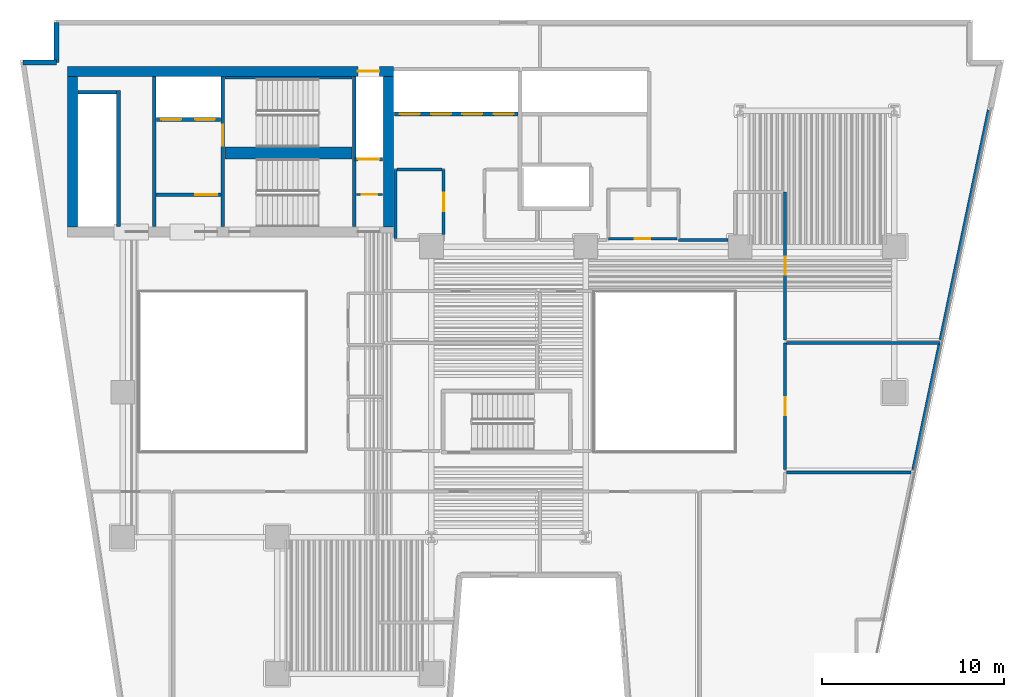
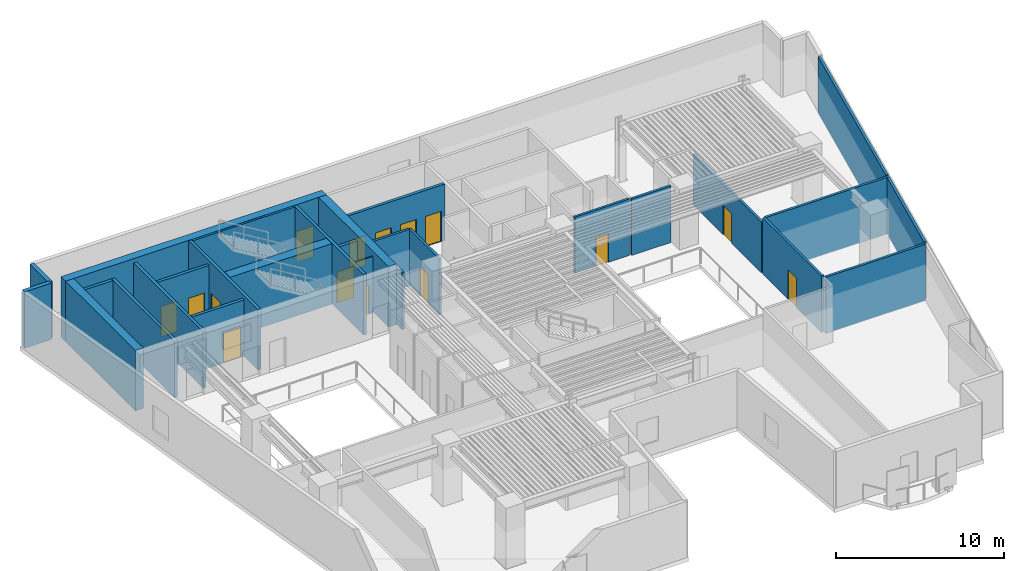
# One storey, part 5 of 11: 28 walls, 15 doors, 15 openings.
"""IFC4 building model written with IfcOpenShell, lengths in metres."""

from ifc_helpers import new_model, si_unit, direction, frame, frame_2d, origin, place, context, subcontext, project, spatial, rectangle, extrude, material, layer, layer_set, type_object, element, fill, save


model = new_model("IFC4")

# Units and contexts
model_context = context("Model", 3, precision=1e-05, world=origin(), true_north=direction((0.0, 1.0)))
body_context = subcontext(model_context, "Body", "Model", "MODEL_VIEW")
ifc_project = project(units=[si_unit("LENGTHUNIT", "METRE"), si_unit("AREAUNIT", "SQUARE_METRE"), si_unit("VOLUMEUNIT", "CUBIC_METRE"), si_unit("PLANEANGLEUNIT", "RADIAN"), si_unit("MASSUNIT", "GRAM", prefix="KILO")], contexts=[model_context])

# Site, building, storey
site_placement = place(None, origin())
site = spatial("IfcSite", under=ifc_project, at=site_placement, CompositionType="ELEMENT")
building_placement = place(site_placement, origin())
building = spatial("IfcBuilding", under=site, at=building_placement, Name="Caeloran Harvest Quay", CompositionType="ELEMENT")
storey_placement = place(building_placement, frame((0.0, 0.0, 62.199951171875)))
storey = spatial("IfcBuildingStorey", under=building, at=storey_placement, Name="L14", CompositionType="ELEMENT", Elevation=62.199951171875)

# Walls
ifc_material_1 = material(Name="Precast concrete C50/60", Category="concrete")
ifc_layer_1 = layer(ifc_material_1, 0.280029296875, Name="Precast concrete C50/60")
ifc_layer_set_1 = layer_set([ifc_layer_1], Name="Precast concrete C50/60")
wall_type_1 = type_object("IfcWallType", Name="ENV-WALL-EW-280", PredefinedType="STANDARD", material=ifc_layer_set_1)
wall_1_placement = place(storey_placement, frame((2.99755859375, 41.159912109375, 0.0), z_axis=(0.0, 0.0, 1.0), x_axis=(1.0, 0.0, 0.0)))
element("IfcWall", 1, at=wall_1_placement, inside=storey, type_object=wall_type_1, Name="L14 Exterior Precast Concrete Facade Wall 4", PredefinedType="STANDARD", context=body_context, shape_type="SweptSolid", body=[
    extrude(rectangle(XDim=1.842529296875, YDim=0.280029296875, at=frame_2d((0.92138671875, 0.0))), origin(), (0.0, 0.0, 1.0), 4.10009765625),
])
wall_2_placement = place(storey_placement, frame((4.840087890625, 41.159912109375, 0.0), z_axis=(0.0, 0.0, 1.0), x_axis=(0.0, 1.0, 0.0)))
element("IfcWall", 2, at=wall_2_placement, inside=storey, type_object=wall_type_1, Name="L14 Exterior Precast Concrete Facade Wall 5", PredefinedType="STANDARD", context=body_context, shape_type="SweptSolid", body=[
    extrude(rectangle(XDim=2.2001953125, YDim=0.280029296875, at=frame_2d((1.10009765625, 0.0))), origin(), (0.0, 0.0, 1.0), 4.10009765625),
])

# Wall, opening, door
ifc_material_2 = material(Name="Fire-Resisting Gypsum Core Riser Partition", Category="gypsum")
ifc_layer_2 = layer(ifc_material_2, 0.10009765625, Name="Fire-Resisting Gypsum Core Riser Partition")
ifc_layer_set_2 = layer_set([ifc_layer_2], Name="Fire-Resisting Gypsum Core Riser Partition")
wall_type_2 = type_object("IfcWallType", Name="INT-WALL-PW-100", PredefinedType="PARTITIONING", material=ifc_layer_set_2)
wall_3_placement = place(storey_placement, frame((21.3798828125, 33.889892578125, 0.0), z_axis=(0.0, 0.0, 1.0), x_axis=(1.0, 0.0, 0.0)))
wall_3 = element("IfcWall", 3, at=wall_3_placement, inside=storey, type_object=wall_type_2, Name="L14 Cleaner Store Partition Wall", PredefinedType="PARTITIONING", context=body_context, shape_type="SweptSolid", body=[
    extrude(rectangle(XDim=1.420166015625, YDim=0.10009765625, at=frame_2d((0.7099609375, 0.0))), origin(), (0.0, 0.0, 1.0), 4.10009765625),
])
opening_1_placement = place(wall_3_placement, frame((0.280029296875, 0.0, 0.0)))
opening_1 = element("IfcOpeningElement", 4, at=opening_1_placement, cuts=wall_3, Name="Opening SV-01", PredefinedType="OPENING", context=body_context, shape_type="SweptSolid", body=[
    extrude(rectangle(XDim=0.85009765625, YDim=2.10009765625, at=frame_2d((0.425048828125, 1.050048828125))), frame((0.0, 0.06005859375, 0.0), z_axis=(0.0, -1.0, 0.0), x_axis=(1.0, 0.0, 0.0)), (0.0, 0.0, 1.0), 0.1201171875),
])
ifc_material_3 = material(Name="Galvanized Painted Steel", Category="steel")
door_type_1 = type_object("IfcDoorType", Name="INTDOOR-SV-01", OperationType="NOTDEFINED", PredefinedType="DOOR", material=ifc_material_3)
door_1_placement = place(opening_1_placement, origin())
door_1 = element("IfcDoor", 5, at=door_1_placement, inside=storey, type_object=door_type_1, Name="L14 Cleaner Supply Store Access Door", OperationType="SINGLE_SWING_RIGHT", OverallHeight=2.10009765625, OverallWidth=0.85009765625, PredefinedType="DOOR", context=body_context, shape_type="SweptSolid", body=[
    extrude(rectangle(XDim=0.85009765625, YDim=2.10009765625, at=frame_2d((0.425048828125, 1.050048828125))), frame((0.0, 0.02490234375, 0.0), z_axis=(0.0, -1.0, 0.0), x_axis=(1.0, 0.0, 0.0)), (0.0, 0.0, 1.0), 0.050048828125),
])
fill(opening_1, door_1)

ifc_material_4 = material(Name="Autoclaved Aerated Concrete Blockwork and Plasterboard", Category="masonry")
ifc_layer_3 = layer(ifc_material_4, 0.14990234375, Name="Autoclaved Aerated Concrete Blockwork and Plasterboard")
ifc_layer_set_3 = layer_set([ifc_layer_3], Name="Autoclaved Aerated Concrete Blockwork and Plasterboard")
wall_type_3 = type_object("IfcWallType", Name="INT-WALL-PW-150", PredefinedType="PARTITIONING", material=ifc_layer_set_3)
wall_4_placement = place(storey_placement, frame((39.02001953125, 31.449951171875, 0.0), z_axis=(0.0, 0.0, 1.0), x_axis=(-1.0, 0.0, 0.0)))
wall_4 = element("IfcWall", 6, at=wall_4_placement, inside=storey, type_object=wall_type_3, Name="L14 Core Auxiliary Equipment Room Partition Wall", PredefinedType="PARTITIONING", context=body_context, shape_type="SweptSolid", body=[
    extrude(rectangle(XDim=3.77001953125, YDim=0.14990234375, at=frame_2d((1.885009765625, 0.0))), origin(), (0.0, 0.0, 1.0), 4.10009765625),
])
opening_2_placement = place(wall_4_placement, frame((1.4599609375, 0.0, 0.0)))
opening_2 = element("IfcOpeningElement", 7, at=opening_2_placement, cuts=wall_4, Name="Opening SV-01", PredefinedType="OPENING", context=body_context, shape_type="SweptSolid", body=[
    extrude(rectangle(XDim=0.85009765625, YDim=2.10009765625, at=frame_2d((0.425048828125, 1.050048828125))), frame((0.0, 0.0849609375, 0.0), z_axis=(0.0, -1.0, 0.0), x_axis=(1.0, 0.0, 0.0)), (0.0, 0.0, 1.0), 0.169921875),
])
door_2_placement = place(opening_2_placement, origin())
door_2 = element("IfcDoor", 8, at=door_2_placement, inside=storey, type_object=door_type_1, Name="L14 Core Auxiliary Equipment Room Access Door", OperationType="SINGLE_SWING_LEFT", OverallHeight=2.10009765625, OverallWidth=0.85009765625, PredefinedType="DOOR", context=body_context, shape_type="SweptSolid", body=[
    extrude(rectangle(XDim=0.85009765625, YDim=2.10009765625, at=frame_2d((0.425048828125, 1.050048828125))), frame((0.0, 0.02490234375, 0.0), z_axis=(0.0, -1.0, 0.0), x_axis=(1.0, 0.0, 0.0)), (0.0, 0.0, 1.0), 0.050048828125),
])
fill(opening_2, door_2)

# Wall
ifc_material_5 = material(Name="Autoclaved Aerated Concrete Blockwork", Category="masonry")
ifc_layer_4 = layer(ifc_material_5, 0.1650390625, Name="Autoclaved Aerated Concrete Blockwork")
ifc_layer_set_4 = layer_set([ifc_layer_4], Name="Autoclaved Aerated Concrete Blockwork")
wall_type_4 = type_object("IfcWallType", Name="INT-WALL-PW-165", PredefinedType="PARTITIONING", material=ifc_layer_set_4)
wall_5_placement = place(storey_placement, frame((45.06689453125, 18.570068359375, 0.0), z_axis=(0.0, 0.0, 1.0), x_axis=(1.0, 0.0, 0.0)))
element("IfcWall", 9, at=wall_5_placement, inside=storey, type_object=wall_type_4, Name="Hydroponic Culinary Kitchen Partition Wall", PredefinedType="PARTITIONING", context=body_context, shape_type="SweptSolid", body=[
    extrude(rectangle(XDim=6.8408203125, YDim=0.1650390625, at=frame_2d((3.42041015625, 0.0))), origin(), (0.0, 0.0, 1.0), 4.10009765625),
])

# Wall, opening, door
wall_6_placement = place(storey_placement, frame((44.97998046875, 18.72998046875, 0.0), z_axis=(0.0, 0.0, 1.0), x_axis=(0.0, 1.0, 0.0)))
wall_6 = element("IfcWall", 10, at=wall_6_placement, inside=storey, type_object=wall_type_4, Name="Mycology QA Laboratory Partition Wall", PredefinedType="PARTITIONING", context=body_context, shape_type="SweptSolid", body=[
    extrude(rectangle(XDim=6.989990234375, YDim=0.1650390625, at=frame_2d((3.4951171875, 0.0))), origin(), (0.0, 0.0, 1.0), 4.10009765625),
])
opening_3_placement = place(wall_6_placement, frame((2.9951171875, 0.0, 0.0)))
opening_3 = element("IfcOpeningElement", 11, at=opening_3_placement, cuts=wall_6, Name="Opening ID-01", PredefinedType="OPENING", context=body_context, shape_type="SweptSolid", body=[
    extrude(rectangle(XDim=1.0, YDim=2.14990234375, at=frame_2d((0.5, 1.074951171875))), frame((0.0, 0.092529296875, 0.0), z_axis=(0.0, -1.0, 0.0), x_axis=(1.0, 0.0, 0.0)), (0.0, 0.0, 1.0), 0.18505859375),
])
ifc_material_6 = material(Name="FSC Solid-Core Ash Timber and Acoustic Seal", Category="wood")
door_type_2 = type_object("IfcDoorType", Name="INTDOOR-ID-01", OperationType="NOTDEFINED", PredefinedType="DOOR", material=ifc_material_6)
door_3_placement = place(opening_3_placement, origin())
door_3 = element("IfcDoor", 12, at=door_3_placement, inside=storey, type_object=door_type_2, Name="Mycology QA Laboratory Access Door", OperationType="SINGLE_SWING_RIGHT", OverallHeight=2.14990234375, OverallWidth=1.0, PredefinedType="DOOR", context=body_context, shape_type="SweptSolid", body=[
    extrude(rectangle(XDim=1.0, YDim=2.14990234375, at=frame_2d((0.5, 1.074951171875))), frame((0.0, 0.02490234375, 0.0), z_axis=(0.0, -1.0, 0.0), x_axis=(1.0, 0.0, 0.0)), (0.0, 0.0, 1.0), 0.050048828125),
])
fill(opening_3, door_3)

# Walls
wall_7_placement = place(storey_placement, frame((45.0673828125, 25.719970703125, 0.0), z_axis=(0.0, 0.0, 1.0), x_axis=(1.0, 0.0, 0.0)))
element("IfcWall", 13, at=wall_7_placement, inside=storey, type_object=wall_type_4, Name="Mycology QA Laboratory Partition Wall", PredefinedType="PARTITIONING", context=body_context, shape_type="SweptSolid", body=[
    extrude(rectangle(XDim=8.447021484375, YDim=0.1650390625, at=frame_2d((4.2236328125, 0.0))), origin(), (0.0, 0.0, 1.0), 4.10009765625),
])
wall_8_placement = place(storey_placement, frame((53.480712890625, 25.632568359375, 0.0), z_axis=(0.0, 0.0, 1.0), x_axis=(-0.205539446235, -0.97864883183, 0.0)))
element("IfcWall", 14, at=wall_8_placement, inside=storey, type_object=wall_type_4, Name="Mycology QA Laboratory Partition Wall", PredefinedType="PARTITIONING", context=body_context, shape_type="SweptSolid", body=[
    extrude(rectangle(XDim=7.05322265625, YDim=0.1650390625, at=frame_2d((3.526611328125, 0.0))), origin(), (0.0, 0.0, 1.0), 4.10009765625),
])

# Wall, opening, door
wall_9_placement = place(storey_placement, frame((26.169921875, 35.27001953125, 0.0), z_axis=(0.0, 0.0, 1.0), x_axis=(0.0, -1.0, 0.0)))
wall_9 = element("IfcWall", 15, at=wall_9_placement, inside=storey, type_object=wall_type_4, Name="Pollination Dining Lounge 11 Partition Wall", PredefinedType="PARTITIONING", context=body_context, shape_type="SweptSolid", body=[
    extrude(rectangle(XDim=3.594970703125, YDim=0.1650390625, at=frame_2d((1.79736328125, 0.0))), origin(), (0.0, 0.0, 1.0), 4.10009765625),
])
opening_4_placement = place(wall_9_placement, frame((1.297607421875, 0.0, 0.0)))
opening_4 = element("IfcOpeningElement", 16, at=opening_4_placement, cuts=wall_9, Name="Opening ID-01", PredefinedType="OPENING", context=body_context, shape_type="SweptSolid", body=[
    extrude(rectangle(XDim=1.0, YDim=2.14990234375, at=frame_2d((0.5, 1.074951171875))), frame((0.0, 0.092529296875, 0.0), z_axis=(0.0, -1.0, 0.0), x_axis=(1.0, 0.0, 0.0)), (0.0, 0.0, 1.0), 0.18505859375),
])
door_4_placement = place(opening_4_placement, origin())
door_4 = element("IfcDoor", 17, at=door_4_placement, inside=storey, type_object=door_type_2, Name="Pollination Dining Lounge 11 Access Door", OperationType="SINGLE_SWING_RIGHT", OverallHeight=2.14990234375, OverallWidth=1.0, PredefinedType="DOOR", context=body_context, shape_type="SweptSolid", body=[
    extrude(rectangle(XDim=1.0, YDim=2.14990234375, at=frame_2d((0.5, 1.074951171875))), frame((0.0, 0.02490234375, 0.0), z_axis=(0.0, -1.0, 0.0), x_axis=(1.0, 0.0, 0.0)), (0.0, 0.0, 1.0), 0.050048828125),
])
fill(opening_4, door_4)

# Walls
wall_10_placement = place(storey_placement, frame((23.510009765625, 31.467529296875, 0.0), z_axis=(0.0, 0.0, 1.0), x_axis=(0.0, 1.0, 0.0)))
element("IfcWall", 18, at=wall_10_placement, inside=storey, type_object=wall_type_4, Name="Pollination Dining Lounge 11 Partition Wall", PredefinedType="PARTITIONING", context=body_context, shape_type="SweptSolid", body=[
    extrude(rectangle(XDim=3.804443359375, YDim=0.1650390625, at=frame_2d((1.90234375, 0.0))), origin(), (0.0, 0.0, 1.0), 4.10009765625),
])
wall_11_placement = place(storey_placement, frame((23.597412109375, 35.27001953125, 0.0), z_axis=(0.0, 0.0, 1.0), x_axis=(1.0, 0.0, 0.0)))
element("IfcWall", 19, at=wall_11_placement, inside=storey, type_object=wall_type_4, Name="Pollination Dining Lounge 11 Partition Wall", PredefinedType="PARTITIONING", context=body_context, shape_type="SweptSolid", body=[
    extrude(rectangle(XDim=2.485107421875, YDim=0.1650390625, at=frame_2d((1.24267578125, 0.0))), origin(), (0.0, 0.0, 1.0), 4.10009765625),
])
wall_12_placement = place(storey_placement, frame((56.1943359375, 38.547607421875, 0.0), z_axis=(0.0, 0.0, 1.0), x_axis=(-0.205602677483, -0.978635549636, 0.0)))
element("IfcWall", 20, at=wall_12_placement, inside=storey, type_object=wall_type_4, Name="Harvest Seminar Room 12 Partition Wall", PredefinedType="PARTITIONING", context=body_context, shape_type="SweptSolid", body=[
    extrude(rectangle(XDim=12.9443359375, YDim=0.1650390625, at=frame_2d((6.47216796875, 0.0))), origin(), (0.0, 0.0, 1.0), 4.10009765625),
])

# Wall, opening, door
wall_13_placement = place(storey_placement, frame((44.97998046875, 25.8798828125, 0.0), z_axis=(0.0, 0.0, 1.0), x_axis=(0.0, 1.0, 0.0)))
wall_13 = element("IfcWall", 21, at=wall_13_placement, inside=storey, type_object=wall_type_4, Name="Harvest Seminar Room 12 Partition Wall", PredefinedType="PARTITIONING", context=body_context, shape_type="SweptSolid", body=[
    extrude(rectangle(XDim=8.150146484375, YDim=0.1650390625, at=frame_2d((4.0751953125, 0.0))), origin(), (0.0, 0.0, 1.0), 3.68505859375),
])
opening_5_placement = place(wall_13_placement, frame((3.574951171875, 0.0, 0.0)))
opening_5 = element("IfcOpeningElement", 22, at=opening_5_placement, cuts=wall_13, Name="Opening ID-01", PredefinedType="OPENING", context=body_context, shape_type="SweptSolid", body=[
    extrude(rectangle(XDim=1.0, YDim=2.14990234375, at=frame_2d((0.5, 1.074951171875))), frame((0.0, 0.092529296875, 0.0), z_axis=(0.0, -1.0, 0.0), x_axis=(1.0, 0.0, 0.0)), (0.0, 0.0, 1.0), 0.18505859375),
])
door_5_placement = place(opening_5_placement, origin())
door_5 = element("IfcDoor", 23, at=door_5_placement, inside=storey, type_object=door_type_2, Name="Harvest Seminar Room 12 Access Door", OperationType="SINGLE_SWING_LEFT", OverallHeight=2.14990234375, OverallWidth=1.0, PredefinedType="DOOR", context=body_context, shape_type="SweptSolid", body=[
    extrude(rectangle(XDim=1.0, YDim=2.14990234375, at=frame_2d((0.5, 1.074951171875))), frame((0.0, 0.02490234375, 0.0), z_axis=(0.0, -1.0, 0.0), x_axis=(1.0, 0.0, 0.0)), (0.0, 0.0, 1.0), 0.050048828125),
])
fill(opening_5, door_5)

# Walls
wall_14_placement = place(storey_placement, frame((41.824951171875, 31.3798828125, 0.0), z_axis=(0.0, 0.0, 1.0), x_axis=(-1.0, 0.0, 0.0)))
element("IfcWall", 24, at=wall_14_placement, inside=storey, type_object=wall_type_4, Name="Harvest Seminar Room 12 Partition Wall", PredefinedType="PARTITIONING", context=body_context, shape_type="SweptSolid", body=[
    extrude(rectangle(XDim=2.71044921875, YDim=0.1650390625, at=frame_2d((1.355224609375, 0.0))), origin(), (0.0, 0.0, 1.0), 4.10009765625),
])
ifc_material_7 = material(Name="Concrete C50/60", Category="concrete")
ifc_layer_5 = layer(ifc_material_7, 0.199951171875, Name="Concrete C50/60")
ifc_layer_set_5 = layer_set([ifc_layer_5], Name="Concrete C50/60")
wall_type_5 = type_object("IfcWallType", Name="INT-WALL-SW-200", PredefinedType="PARTITIONING", material=ifc_layer_set_5)
wall_15_placement = place(storey_placement, frame((8.260009765625, 32.1201171875, 0.0), z_axis=(0.0, 0.0, 1.0), x_axis=(0.0, 1.0, 0.0)))
element("IfcWall", 25, at=wall_15_placement, inside=storey, type_object=wall_type_5, Name="L14 Bank 3 Lift Shaft Wall", PredefinedType="PARTITIONING", context=body_context, shape_type="SweptSolid", body=[
    extrude(rectangle(XDim=7.5, YDim=0.199951171875, at=frame_2d((3.75, 0.0))), origin(), (0.0, 0.0, 1.0), 4.10009765625),
])
wall_16_placement = place(storey_placement, frame((6.02001953125, 39.52001953125, 0.0), z_axis=(0.0, 0.0, 1.0), x_axis=(1.0, 0.0, 0.0)))
element("IfcWall", 26, at=wall_16_placement, inside=storey, type_object=wall_type_5, Name="L14 Bank 3 Lift Shaft North End Wall", PredefinedType="PARTITIONING", context=body_context, shape_type="SweptSolid", body=[
    extrude(rectangle(XDim=2.119873046875, YDim=0.199951171875, at=frame_2d((1.06005859375, 0.0))), origin(), (0.0, 0.0, 1.0), 4.10009765625),
])
wall_17_placement = place(storey_placement, frame((10.219970703125, 32.1201171875, 0.0), z_axis=(0.0, 0.0, 1.0), x_axis=(0.0, 1.0, 0.0)))
element("IfcWall", 27, at=wall_17_placement, inside=storey, type_object=wall_type_5, Name="L14 Core Lobby Compartment Wall", PredefinedType="PARTITIONING", context=body_context, shape_type="SweptSolid", body=[
    extrude(rectangle(XDim=8.259765625, YDim=0.199951171875, at=frame_2d((4.1298828125, 0.0))), origin(), (0.0, 0.0, 1.0), 4.10009765625),
])

# Wall, openings, doors
wall_18_placement = place(storey_placement, frame((10.340087890625, 38.02001953125, 0.0), z_axis=(0.0, 0.0, 1.0), x_axis=(1.0, 0.0, 0.0)))
wall_18 = element("IfcWall", 28, at=wall_18_placement, inside=storey, type_object=wall_type_5, Name="L14 Firefighting Lift Shaft Wall", PredefinedType="PARTITIONING", context=body_context, shape_type="SweptSolid", body=[
    extrude(rectangle(XDim=3.539794921875, YDim=0.199951171875, at=frame_2d((1.77001953125, 0.0))), origin(), (0.0, 0.0, 1.0), 4.10009765625),
])
opening_6_placement = place(wall_18_placement, frame((0.284912109375, 0.0, 0.0)))
opening_6 = element("IfcOpeningElement", 29, at=opening_6_placement, cuts=wall_18, Name="Opening LD-01", PredefinedType="OPENING", context=body_context, shape_type="SweptSolid", body=[
    extrude(rectangle(XDim=1.10009765625, YDim=2.199951171875, at=frame_2d((0.550048828125, 1.10009765625))), frame((0.0, 0.10986328125, 0.0), z_axis=(0.0, -1.0, 0.0), x_axis=(1.0, 0.0, 0.0)), (0.0, 0.0, 1.0), 0.219970703125),
])
opening_7_placement = place(wall_18_placement, frame((2.135009765625, 0.0, 0.0)))
opening_7 = element("IfcOpeningElement", 30, at=opening_7_placement, cuts=wall_18, Name="Opening LD-01", PredefinedType="OPENING", context=body_context, shape_type="SweptSolid", body=[
    extrude(rectangle(XDim=1.10009765625, YDim=2.199951171875, at=frame_2d((0.550048828125, 1.10009765625))), frame((0.0, 0.10986328125, 0.0), z_axis=(0.0, -1.0, 0.0), x_axis=(1.0, 0.0, 0.0)), (0.0, 0.0, 1.0), 0.219970703125),
])
ifc_material_8 = material(Name="Stainless Steel Grade 316", Category="steel")
door_type_3 = type_object("IfcDoorType", Name="INTDOOR-LD-01", OperationType="NOTDEFINED", PredefinedType="DOOR", material=ifc_material_8)
door_6_placement = place(opening_6_placement, origin())
door_6 = element("IfcDoor", 31, at=door_6_placement, inside=storey, type_object=door_type_3, Name="Lift FF-1 Sliding Landing Door (L14)", OperationType="DOUBLE_DOOR_SLIDING", OverallHeight=2.199951171875, OverallWidth=1.10009765625, PredefinedType="DOOR", context=body_context, shape_type="SweptSolid", body=[
    extrude(rectangle(XDim=1.10009765625, YDim=2.199951171875, at=frame_2d((0.550048828125, 1.10009765625))), frame((0.0, 0.02490234375, 0.0), z_axis=(0.0, -1.0, 0.0), x_axis=(1.0, 0.0, 0.0)), (0.0, 0.0, 1.0), 0.050048828125),
])
fill(opening_6, door_6)
door_7_placement = place(opening_7_placement, origin())
door_7 = element("IfcDoor", 32, at=door_7_placement, inside=storey, type_object=door_type_3, Name="Lift FF-2 Sliding Landing Door (L14)", OperationType="DOUBLE_DOOR_SLIDING", OverallHeight=2.199951171875, OverallWidth=1.10009765625, PredefinedType="DOOR", context=body_context, shape_type="SweptSolid", body=[
    extrude(rectangle(XDim=1.10009765625, YDim=2.199951171875, at=frame_2d((0.550048828125, 1.10009765625))), frame((0.0, 0.02490234375, 0.0), z_axis=(0.0, -1.0, 0.0), x_axis=(1.0, 0.0, 0.0)), (0.0, 0.0, 1.0), 0.050048828125),
])
fill(opening_7, door_7)

# Wall, opening, door
wall_19_placement = place(storey_placement, frame((10.340087890625, 33.8798828125, 0.0), z_axis=(0.0, 0.0, 1.0), x_axis=(1.0, 0.0, 0.0)))
wall_19 = element("IfcWall", 33, at=wall_19_placement, inside=storey, type_object=wall_type_5, Name="L14 Firefighting Lift Lobby Enclosure Wall", PredefinedType="PARTITIONING", context=body_context, shape_type="SweptSolid", body=[
    extrude(rectangle(XDim=3.559814453125, YDim=0.199951171875, at=frame_2d((1.77978515625, 0.0))), origin(), (0.0, 0.0, 1.0), 4.10009765625),
])
opening_8_placement = place(wall_19_placement, frame((2.14990234375, 0.0, 0.0)))
opening_8 = element("IfcOpeningElement", 34, at=opening_8_placement, cuts=wall_19, Name="Opening FD-01", PredefinedType="OPENING", context=body_context, shape_type="SweptSolid", body=[
    extrude(rectangle(XDim=1.199951171875, YDim=2.199951171875, at=frame_2d((0.60009765625, 1.10009765625))), frame((0.0, 0.10986328125, 0.0), z_axis=(0.0, -1.0, 0.0), x_axis=(1.0, 0.0, 0.0)), (0.0, 0.0, 1.0), 0.219970703125),
])
ifc_material_9 = material(Name="Steel", Category="steel")
door_type_4 = type_object("IfcDoorType", Name="INTDOOR-FD-01", OperationType="NOTDEFINED", PredefinedType="DOOR", material=ifc_material_9)
door_8_placement = place(opening_8_placement, origin())
door_8 = element("IfcDoor", 35, at=door_8_placement, inside=storey, type_object=door_type_4, Name="L14 Firefighting Lift Lobby Smoke-Seal Fire Door", OperationType="SINGLE_SWING_LEFT", OverallHeight=2.199951171875, OverallWidth=1.199951171875, PredefinedType="DOOR", context=body_context, shape_type="SweptSolid", body=[
    extrude(rectangle(XDim=1.199951171875, YDim=2.199951171875, at=frame_2d((0.60009765625, 1.10009765625))), frame((0.0, 0.02490234375, 0.0), z_axis=(0.0, -1.0, 0.0), x_axis=(1.0, 0.0, 0.0)), (0.0, 0.0, 1.0), 0.050048828125),
])
fill(opening_8, door_8)

wall_20_placement = place(storey_placement, frame((21.300048828125, 35.820068359375, 0.0), z_axis=(0.0, 0.0, 1.0), x_axis=(1.0, 0.0, 0.0)))
wall_20 = element("IfcWall", 36, at=wall_20_placement, inside=storey, type_object=wall_type_5, Name="L14 Service Lift SV-2 Shaft Wall", PredefinedType="PARTITIONING", context=body_context, shape_type="SweptSolid", body=[
    extrude(rectangle(XDim=1.5, YDim=0.199951171875, at=frame_2d((0.75, 0.0))), origin(), (0.0, 0.0, 1.0), 4.10009765625),
])
opening_9_placement = place(wall_20_placement, frame((0.14501953125, 0.0, 0.0)))
opening_9 = element("IfcOpeningElement", 37, at=opening_9_placement, cuts=wall_20, Name="Opening LD-02", PredefinedType="OPENING", context=body_context, shape_type="SweptSolid", body=[
    extrude(rectangle(XDim=1.179931640625, YDim=2.25, at=frame_2d((0.58984375, 1.125))), frame((0.0, 0.10986328125, 0.0), z_axis=(0.0, -1.0, 0.0), x_axis=(1.0, 0.0, 0.0)), (0.0, 0.0, 1.0), 0.219970703125),
])
door_type_5 = type_object("IfcDoorType", Name="INTDOOR-LD-02", OperationType="NOTDEFINED", PredefinedType="DOOR", material=ifc_material_8)
door_9_placement = place(opening_9_placement, origin())
door_9 = element("IfcDoor", 38, at=door_9_placement, inside=storey, type_object=door_type_5, Name="Lift SV-2 Sliding Landing Door (L14)", OperationType="DOUBLE_DOOR_SLIDING", OverallHeight=2.25, OverallWidth=1.179931640625, PredefinedType="DOOR", context=body_context, shape_type="SweptSolid", body=[
    extrude(rectangle(XDim=1.179931640625, YDim=2.25, at=frame_2d((0.58984375, 1.125))), frame((0.0, 0.02490234375, 0.0), z_axis=(0.0, -1.0, 0.0), x_axis=(1.0, 0.0, 0.0)), (0.0, 0.0, 1.0), 0.050048828125),
])
fill(opening_9, door_9)

# Wall, openings, doors
wall_21_placement = place(storey_placement, frame((23.469970703125, 38.320068359375, 0.0), z_axis=(0.0, 0.0, 1.0), x_axis=(1.0, 0.0, 0.0)))
wall_21 = element("IfcWall", 39, at=wall_21_placement, inside=storey, type_object=wall_type_5, Name="L14 Bank 1 Lift Landing Front Wall", PredefinedType="PARTITIONING", context=body_context, shape_type="SweptSolid", body=[
    extrude(rectangle(XDim=6.7900390625, YDim=0.199951171875, at=frame_2d((3.39501953125, 0.0))), origin(), (0.0, 0.0, 1.0), 4.10009765625),
])
opening_10_placement = place(wall_21_placement, frame((0.2900390625, 0.0, 0.0)))
opening_10 = element("IfcOpeningElement", 40, at=opening_10_placement, cuts=wall_21, Name="Opening LD-01", PredefinedType="OPENING", context=body_context, shape_type="SweptSolid", body=[
    extrude(rectangle(XDim=1.10009765625, YDim=2.199951171875, at=frame_2d((0.550048828125, 1.10009765625))), frame((0.0, 0.10986328125, 0.0), z_axis=(0.0, -1.0, 0.0), x_axis=(1.0, 0.0, 0.0)), (0.0, 0.0, 1.0), 0.219970703125),
])
opening_11_placement = place(wall_21_placement, frame((2.010009765625, 0.0, 0.0)))
opening_11 = element("IfcOpeningElement", 41, at=opening_11_placement, cuts=wall_21, Name="Opening LD-01", PredefinedType="OPENING", context=body_context, shape_type="SweptSolid", body=[
    extrude(rectangle(XDim=1.10009765625, YDim=2.199951171875, at=frame_2d((0.550048828125, 1.10009765625))), frame((0.0, 0.10986328125, 0.0), z_axis=(0.0, -1.0, 0.0), x_axis=(1.0, 0.0, 0.0)), (0.0, 0.0, 1.0), 0.219970703125),
])
opening_12_placement = place(wall_21_placement, frame((3.72998046875, 0.0, 0.0)))
opening_12 = element("IfcOpeningElement", 42, at=opening_12_placement, cuts=wall_21, Name="Opening LD-01", PredefinedType="OPENING", context=body_context, shape_type="SweptSolid", body=[
    extrude(rectangle(XDim=1.10009765625, YDim=2.199951171875, at=frame_2d((0.550048828125, 1.10009765625))), frame((0.0, 0.10986328125, 0.0), z_axis=(0.0, -1.0, 0.0), x_axis=(1.0, 0.0, 0.0)), (0.0, 0.0, 1.0), 0.219970703125),
])
opening_13_placement = place(wall_21_placement, frame((5.449951171875, 0.0, 0.0)))
opening_13 = element("IfcOpeningElement", 43, at=opening_13_placement, cuts=wall_21, Name="Opening LD-01", PredefinedType="OPENING", context=body_context, shape_type="SweptSolid", body=[
    extrude(rectangle(XDim=1.10009765625, YDim=2.199951171875, at=frame_2d((0.550048828125, 1.10009765625))), frame((0.0, 0.10986328125, 0.0), z_axis=(0.0, -1.0, 0.0), x_axis=(1.0, 0.0, 0.0)), (0.0, 0.0, 1.0), 0.219970703125),
])
door_10_placement = place(opening_10_placement, origin())
door_10 = element("IfcDoor", 44, at=door_10_placement, inside=storey, type_object=door_type_3, Name="Lift P1-1 Sliding Landing Door (L14)", OperationType="DOUBLE_DOOR_SLIDING", OverallHeight=2.199951171875, OverallWidth=1.10009765625, PredefinedType="DOOR", context=body_context, shape_type="SweptSolid", body=[
    extrude(rectangle(XDim=1.10009765625, YDim=2.199951171875, at=frame_2d((0.550048828125, 1.10009765625))), frame((0.0, 0.02490234375, 0.0), z_axis=(0.0, -1.0, 0.0), x_axis=(1.0, 0.0, 0.0)), (0.0, 0.0, 1.0), 0.050048828125),
])
fill(opening_10, door_10)
door_11_placement = place(opening_11_placement, origin())
door_11 = element("IfcDoor", 45, at=door_11_placement, inside=storey, type_object=door_type_3, Name="Lift P1-2 Sliding Landing Door (L14)", OperationType="DOUBLE_DOOR_SLIDING", OverallHeight=2.199951171875, OverallWidth=1.10009765625, PredefinedType="DOOR", context=body_context, shape_type="SweptSolid", body=[
    extrude(rectangle(XDim=1.10009765625, YDim=2.199951171875, at=frame_2d((0.550048828125, 1.10009765625))), frame((0.0, 0.02490234375, 0.0), z_axis=(0.0, -1.0, 0.0), x_axis=(1.0, 0.0, 0.0)), (0.0, 0.0, 1.0), 0.050048828125),
])
fill(opening_11, door_11)
door_12_placement = place(opening_12_placement, origin())
door_12 = element("IfcDoor", 46, at=door_12_placement, inside=storey, type_object=door_type_3, Name="Lift P1-3 Sliding Landing Door (L14)", OperationType="DOUBLE_DOOR_SLIDING", OverallHeight=2.199951171875, OverallWidth=1.10009765625, PredefinedType="DOOR", context=body_context, shape_type="SweptSolid", body=[
    extrude(rectangle(XDim=1.10009765625, YDim=2.199951171875, at=frame_2d((0.550048828125, 1.10009765625))), frame((0.0, 0.02490234375, 0.0), z_axis=(0.0, -1.0, 0.0), x_axis=(1.0, 0.0, 0.0)), (0.0, 0.0, 1.0), 0.050048828125),
])
fill(opening_12, door_12)
door_13_placement = place(opening_13_placement, origin())
door_13 = element("IfcDoor", 47, at=door_13_placement, inside=storey, type_object=door_type_3, Name="Lift P1-4 Sliding Landing Door (L14)", OperationType="DOUBLE_DOOR_SLIDING", OverallHeight=2.199951171875, OverallWidth=1.10009765625, PredefinedType="DOOR", context=body_context, shape_type="SweptSolid", body=[
    extrude(rectangle(XDim=1.10009765625, YDim=2.199951171875, at=frame_2d((0.550048828125, 1.10009765625))), frame((0.0, 0.02490234375, 0.0), z_axis=(0.0, -1.0, 0.0), x_axis=(1.0, 0.0, 0.0)), (0.0, 0.0, 1.0), 0.050048828125),
])
fill(opening_13, door_13)

# Wall, opening, door
ifc_material_10 = material(Name="Concrete C80/95", Category="concrete")
ifc_layer_6 = layer(ifc_material_10, 0.550048828125, Name="Concrete C80/95")
ifc_layer_set_6 = layer_set([ifc_layer_6], Name="Concrete C80/95")
wall_type_6 = type_object("IfcWallType", Name="STR-WALL-CW-550", PredefinedType="SHEAR", material=ifc_layer_set_6)
wall_22_placement = place(storey_placement, frame((5.449951171875, 40.675048828125, 0.0), z_axis=(0.0, 0.0, 1.0), x_axis=(1.0, 0.0, 0.0)))
wall_22 = element("IfcWall", 48, at=wall_22_placement, inside=storey, type_object=wall_type_6, Name="L14 Rear Core Shear Wall N", PredefinedType="SHEAR", context=body_context, shape_type="SweptSolid", body=[
    extrude(rectangle(XDim=17.949951171875, YDim=0.550048828125, at=frame_2d((8.97509765625, 0.0))), origin(), (0.0, 0.0, 1.0), 4.400146484375),
])
opening_14_placement = place(wall_22_placement, frame((15.9951171875, 0.0, 0.0)))
opening_14 = element("IfcOpeningElement", 49, at=opening_14_placement, cuts=wall_22, Name="Opening LD-02", PredefinedType="OPENING", context=body_context, shape_type="SweptSolid", body=[
    extrude(rectangle(XDim=1.179931640625, YDim=2.25, at=frame_2d((0.58984375, 1.125))), frame((0.0, 0.28515625, 0.0), z_axis=(0.0, -1.0, 0.0), x_axis=(1.0, 0.0, 0.0)), (0.0, 0.0, 1.0), 0.570068359375),
])
door_14_placement = place(opening_14_placement, origin())
door_14 = element("IfcDoor", 50, at=door_14_placement, inside=storey, type_object=door_type_5, Name="Lift SV-1 Sliding Landing Door (L14)", OperationType="DOUBLE_DOOR_SLIDING", OverallHeight=2.25, OverallWidth=1.179931640625, PredefinedType="DOOR", context=body_context, shape_type="SweptSolid", body=[
    extrude(rectangle(XDim=1.179931640625, YDim=2.25, at=frame_2d((0.58984375, 1.125))), frame((0.0, 0.02490234375, 0.0), z_axis=(0.0, -1.0, 0.0), x_axis=(1.0, 0.0, 0.0)), (0.0, 0.0, 1.0), 0.050048828125),
])
fill(opening_14, door_14)

# Walls
for number, where, z_axis, x_axis, name in (
    (51, (5.72509765625, 32.10009765625, 0.0), (0.0, 0.0, 1.0), (0.0, 1.0, 0.0), "L14 Rear Core Shear Wall W"),
    (52, (23.125, 32.10009765625, 0.0), (0.0, 0.0, 1.0), (0.0, 1.0, 0.0), "L14 Rear Core Shear Wall E"),
):
    element("IfcWall", number, at=place(storey_placement, frame(where, z_axis=z_axis, x_axis=x_axis)), inside=storey, type_object=wall_type_6, Name=name, PredefinedType="SHEAR", context=body_context, shape_type="SweptSolid", body=[
        extrude(rectangle(XDim=8.2998046875, YDim=0.550048828125, at=frame_2d((4.14990234375, 0.0))), origin(), (0.0, 0.0, 1.0), 4.400146484375),
    ])
ifc_material_11 = material(Name="Concrete C60/75", Category="concrete")
ifc_layer_7 = layer(ifc_material_11, 0.64990234375, Name="Concrete C60/75")
ifc_layer_set_7 = layer_set([ifc_layer_7], Name="Concrete C60/75")
wall_type_7 = type_object("IfcWallType", Name="STR-WALL-CW-650", PredefinedType="SHEAR", material=ifc_layer_set_7)
wall_23_placement = place(storey_placement, frame((14.1201171875, 36.175048828125, 0.0), z_axis=(0.0, 0.0, 1.0), x_axis=(1.0, 0.0, 0.0)))
element("IfcWall", 53, at=wall_23_placement, inside=storey, type_object=wall_type_7, Name="L14 Core Stairs Dividing Shear Wall", PredefinedType="SHEAR", context=body_context, shape_type="SweptSolid", body=[
    extrude(rectangle(XDim=7.009765625, YDim=0.64990234375, at=frame_2d((3.5048828125, 0.0))), origin(), (0.0, 0.0, 1.0), 4.400146484375),
])
ifc_layer_8 = layer(ifc_material_11, 0.139892578125, Name="Concrete C60/75")
ifc_layer_set_8 = layer_set([ifc_layer_8], Name="Concrete C60/75")
wall_type_8 = type_object("IfcWallType", Name="STR-WALL-SW-140", PredefinedType="SHEAR", material=ifc_layer_set_8)
wall_24_placement = place(storey_placement, frame((14.1201171875, 40.320068359375, 0.0), z_axis=(0.0, 0.0, 1.0), x_axis=(1.0, 0.0, 0.0)))
element("IfcWall", 54, at=wall_24_placement, inside=storey, type_object=wall_type_8, Name="L14 Core Stair ST-C1 North Bearing Shear Wall", PredefinedType="SHEAR", context=body_context, shape_type="SweptSolid", body=[
    extrude(rectangle(XDim=7.009765625, YDim=0.139892578125, at=frame_2d((3.5048828125, 0.0))), origin(), (0.0, 0.0, 1.0), 4.400146484375),
])

# Wall, opening, door
ifc_layer_9 = layer(ifc_material_11, 0.199951171875, Name="Concrete C60/75")
ifc_layer_set_9 = layer_set([ifc_layer_9], Name="Concrete C60/75")
wall_type_9 = type_object("IfcWallType", Name="STR-WALL-SW-200", PredefinedType="SHEAR", material=ifc_layer_set_9)
wall_25_placement = place(storey_placement, frame((14.0, 32.1201171875, 0.0), z_axis=(0.0, 0.0, 1.0), x_axis=(0.0, 1.0, 0.0)))
wall_25 = element("IfcWall", 55, at=wall_25_placement, inside=storey, type_object=wall_type_9, Name="L14 Core Stair Shaft West Shear Wall", PredefinedType="SHEAR", context=body_context, shape_type="SweptSolid", body=[
    extrude(rectangle(XDim=8.259765625, YDim=0.199951171875, at=frame_2d((4.1298828125, 0.0))), origin(), (0.0, 0.0, 1.0), 4.400146484375),
])
opening_15_placement = place(wall_25_placement, frame((4.4599609375, 0.0, 0.0)))
opening_15 = element("IfcOpeningElement", 56, at=opening_15_placement, cuts=wall_25, Name="Opening SD-01", PredefinedType="OPENING", context=body_context, shape_type="SweptSolid", body=[
    extrude(rectangle(XDim=1.14990234375, YDim=2.199951171875, at=frame_2d((0.574951171875, 1.10009765625))), frame((0.0, 0.10986328125, 0.0), z_axis=(0.0, -1.0, 0.0), x_axis=(1.0, 0.0, 0.0)), (0.0, 0.0, 1.0), 0.219970703125),
])
door_type_6 = type_object("IfcDoorType", Name="INTDOOR-SD-01", OperationType="NOTDEFINED", PredefinedType="DOOR", material=ifc_material_9)
door_15_placement = place(opening_15_placement, origin())
door_15 = element("IfcDoor", 57, at=door_15_placement, inside=storey, type_object=door_type_6, Name="L14 Protected Stair ST-C1 Exit Door", OperationType="SINGLE_SWING_LEFT", OverallHeight=2.199951171875, OverallWidth=1.14990234375, PredefinedType="DOOR", context=body_context, shape_type="SweptSolid", body=[
    extrude(rectangle(XDim=1.14990234375, YDim=2.199951171875, at=frame_2d((0.574951171875, 1.10009765625))), frame((0.0, 0.02490234375, 0.0), z_axis=(0.0, -1.0, 0.0), x_axis=(1.0, 0.0, 0.0)), (0.0, 0.0, 1.0), 0.050048828125),
])
fill(opening_15, door_15)

# Wall
wall_26_placement = place(storey_placement, frame((21.25, 32.1201171875, 0.0), z_axis=(0.0, 0.0, 1.0), x_axis=(0.0, 1.0, 0.0)))
element("IfcWall", 58, at=wall_26_placement, inside=storey, type_object=wall_type_9, Name="L14 Core Stair Shaft East Shear Wall", PredefinedType="SHEAR", context=body_context, shape_type="SweptSolid", body=[
    extrude(rectangle(XDim=8.259765625, YDim=0.199951171875, at=frame_2d((4.1298828125, 0.0))), origin(), (0.0, 0.0, 1.0), 4.400146484375),
])

save(model, "model.ifc")
